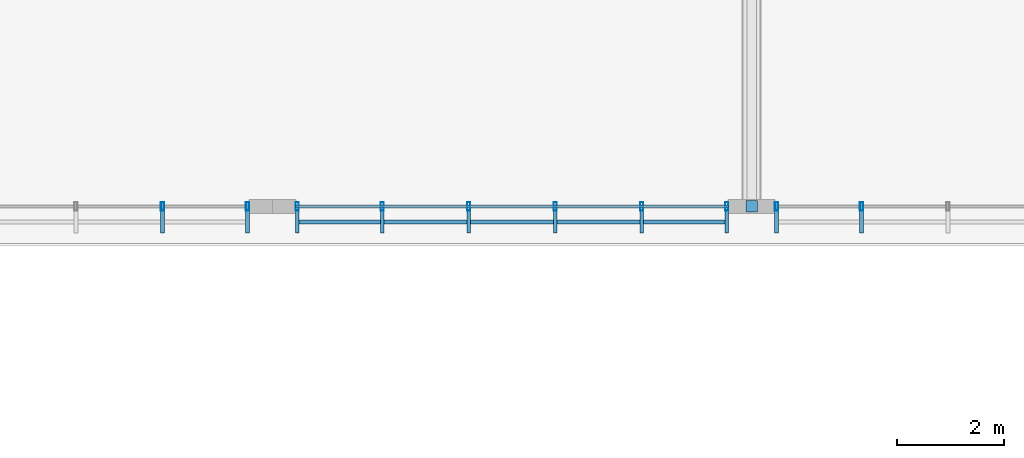
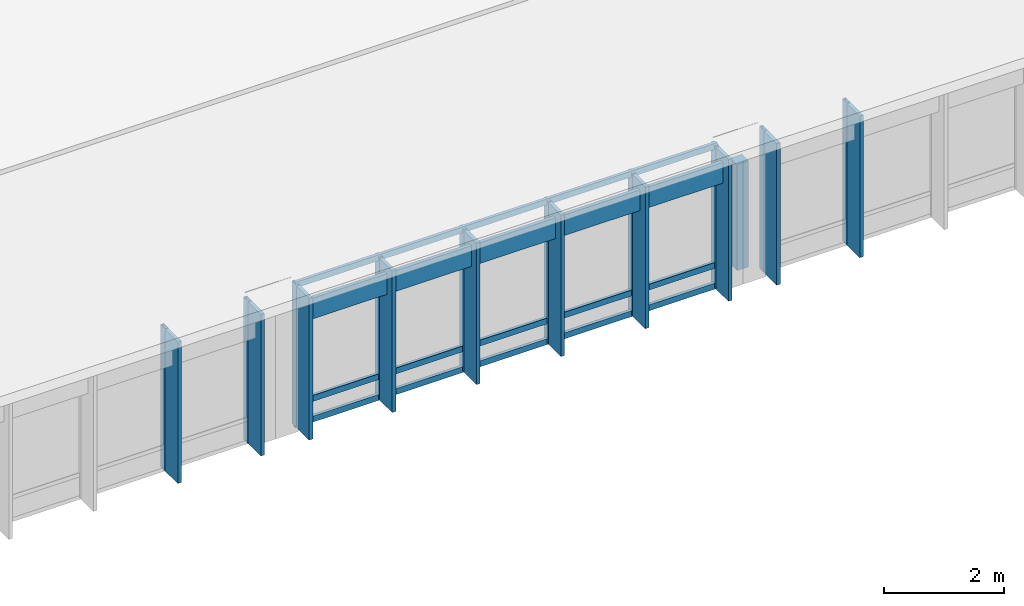
# One storey, part 47 of 182: 25 members, 3 elements without a shape of their own.
"""IFC4 building model written with IfcOpenShell, lengths in metres."""

import ifcopenshell
import ifcopenshell.guid

model = None  # the IFC model being written
_history = None  # IfcOwnerHistory: only IFC2X3 demands one
_inside = {}  # id of a spatial element -> (the spatial element, [elements in it])
_under = {}  # id of a project, library or spatial element -> (it, [spatial elements below it])
_declared = {}  # id of a project -> (the project, [libraries it declares])
_typed = {}  # id of a type object -> (the type object, [elements of that type])
_made_of = {}  # id of a material, layer set ... -> (it, [elements and type objects made of it])


def new_model(schema):
    """Start an empty IFC model of exactly this schema.

    Asked for "IFC4X3", IfcOpenShell would pick the latest addendum, in which some entities
    have other attributes; the version numbers below select the first issue.
    IFC2X3 requires an IfcOwnerHistory on every rooted entity: one is made here for all.
    """
    global model, _history
    if schema == "IFC4X3":
        model = ifcopenshell.file(schema_version=(4, 3, 0, 0))
    else:
        model = ifcopenshell.file(schema=schema)
    _inside.clear()
    _under.clear()
    _declared.clear()
    _typed.clear()
    _made_of.clear()
    _history = None
    if model.schema == "IFC2X3":
        org = make("IfcOrganization", Name="unknown")
        user = make(
            "IfcPersonAndOrganization",
            ThePerson=make("IfcPerson", FamilyName="unknown"),
            TheOrganization=org,
        )
        app = make(
            "IfcApplication",
            ApplicationDeveloper=org,
            Version="unknown",
            ApplicationFullName="unknown",
            ApplicationIdentifier="unknown",
        )
        _history = make(
            "IfcOwnerHistory",
            OwningUser=user,
            OwningApplication=app,
            ChangeAction="ADDED",
            CreationDate=0,
        )
    return model


def make(cls, **values):
    """One entity of the class cls with the attributes given. An attribute that is None is left unset."""
    return model.create_entity(
        cls, **{name: value for name, value in values.items() if value is not None}
    )


def rooted(cls, **values):
    """An entity with a GlobalId (a new one), such as an element, a storey or a relation."""
    return make(cls, GlobalId=ifcopenshell.guid.new(), OwnerHistory=_history, **values)


def si_unit(unit_type, name, prefix=None):
    """IfcSIUnit, for example si_unit("LENGTHUNIT", "METRE", prefix="MILLI")."""
    return make("IfcSIUnit", UnitType=unit_type, Prefix=prefix, Name=name)


def assignment(units):
    """IfcUnitAssignment: the units of a project."""
    return None if units is None else make("IfcUnitAssignment", Units=units)


def point(xyz):
    """IfcCartesianPoint."""
    return None if xyz is None else make("IfcCartesianPoint", Coordinates=xyz)


def direction(xyz):
    """IfcDirection."""
    return None if xyz is None else make("IfcDirection", DirectionRatios=xyz)


def frame(location, z_axis=None, x_axis=None):
    """IfcAxis2Placement3D, a coordinate frame: its origin and axes. An axis left out is left unset."""
    return make(
        "IfcAxis2Placement3D",
        Location=point(location),
        Axis=direction(z_axis),
        RefDirection=direction(x_axis),
    )


def frame_2d(location, x_axis=None):
    """IfcAxis2Placement2D, a coordinate frame in the plane: its origin and x axis."""
    return make(
        "IfcAxis2Placement2D", Location=point(location), RefDirection=direction(x_axis)
    )


def origin():
    """The frame at (0, 0, 0) with its axes left unset."""
    return frame((0.0, 0.0, 0.0))


def origin_2d():
    """The frame at (0, 0) in the plane with its x axis left unset."""
    return frame_2d((0.0, 0.0))


def place(relative_to, where):
    """IfcLocalPlacement: puts the frame where relative to a parent placement (None: the world)."""
    return make(
        "IfcLocalPlacement", PlacementRelTo=relative_to, RelativePlacement=where
    )


def context(
    kind, dimensions, precision=None, world=None, true_north=None, identifier=None
):
    """IfcGeometricRepresentationContext, for example the 3D "Model" context."""
    return make(
        "IfcGeometricRepresentationContext",
        ContextIdentifier=identifier,
        ContextType=kind,
        CoordinateSpaceDimension=dimensions,
        Precision=precision,
        WorldCoordinateSystem=world,
        TrueNorth=true_north,
    )


def subcontext(parent, identifier, kind, view, scale=None):
    """IfcGeometricRepresentationSubContext, for example "Body" below "Model"."""
    return make(
        "IfcGeometricRepresentationSubContext",
        ContextIdentifier=identifier,
        ContextType=kind,
        ParentContext=parent,
        TargetScale=scale,
        TargetView=view,
    )


def project(units=None, contexts=None):
    """IfcProject with its units and contexts."""
    return rooted(
        "IfcProject",
        Name="project",
        RepresentationContexts=contexts,
        UnitsInContext=assignment(units),
    )


def spatial(cls, under=None, at=None, **own):
    """A site, building, storey or space (cls), placed at a placement, below another one or the project."""
    s = rooted(cls, ObjectPlacement=at, **own)
    if under is not None:
        _under.setdefault(under.id(), (under, []))[1].append(s)
    return s


def profile(cls, at=None, kind="AREA", **sizes):
    """A parametric profile (cls). Its sizes go by their IFC names, for example OverallWidth=200.0."""
    return make(cls, ProfileType=kind, Position=at, **sizes)


def rectangle(**sizes):
    """IfcRectangleProfileDef."""
    return profile("IfcRectangleProfileDef", **sizes)


def hollow_rectangle(**sizes):
    """IfcRectangleHollowProfileDef."""
    return profile("IfcRectangleHollowProfileDef", **sizes)


def extrude(swept, where, along, depth):
    """IfcExtrudedAreaSolid: the profile swept, set in the frame where, extruded along a direction by depth."""
    return make(
        "IfcExtrudedAreaSolid",
        SweptArea=swept,
        Position=where,
        ExtrudedDirection=direction(along),
        Depth=depth,
    )


def shape(context_of_items, identifier, shape_type, items):
    """IfcShapeRepresentation: the items that make up one representation, for example the "Body"."""
    return make(
        "IfcShapeRepresentation",
        ContextOfItems=context_of_items,
        RepresentationIdentifier=identifier,
        RepresentationType=shape_type,
        Items=items,
    )


def material(Name=None, Category=None):
    """IfcMaterial."""
    return make("IfcMaterial", Name=Name, Category=Category)


def material_profile(
    of_material, cross_section, Name=None, Category=None, Priority=None
):
    """IfcMaterialProfile: a cross section and its material."""
    return make(
        "IfcMaterialProfile",
        Name=Name,
        Material=of_material,
        Profile=cross_section,
        Priority=Priority,
        Category=Category,
    )


def profile_set(profiles, Name=None, composite=None):
    """IfcMaterialProfileSet."""
    return make(
        "IfcMaterialProfileSet",
        Name=Name,
        MaterialProfiles=profiles,
        CompositeProfile=composite,
    )


def made_of(thing, what):
    """Note that an element or type object is made of a material, layer set ...; save() writes the relation."""
    if what is not None:
        _made_of.setdefault(what.id(), (what, []))[1].append(thing)
    return thing


def type_object(cls, material=None, **own):
    """A type object (cls), such as IfcWallType, which elements share."""
    return made_of(rooted(cls, **own), material)


def element(
    cls,
    number,
    at=None,
    inside=None,
    cuts=None,
    type_object=None,
    material=None,
    context=None,
    identifier="Body",
    shape_type=None,
    held_by="IfcProductDefinitionShape",
    body=None,
    shapes=None,
    **own,
):
    """One element of the class cls, such as IfcWall. Its Tag is "e" and its number.

    at: its placement. inside: the storey or other place that contains it. cuts: it is an
    opening in that element (IfcRelVoidsElement). A single representation is given by context,
    identifier, shape_type and body (its items); several are given by shapes. held_by: the class
    of the entity that holds the representations. save() writes the other relations.
    """
    e = rooted(cls, Tag="e%d" % number, ObjectPlacement=at, **own)
    if body is not None:
        shapes = [shape(context, identifier, shape_type, body)]
    if shapes is not None:
        e.Representation = make(held_by, Representations=shapes)
    if inside is not None:
        _inside.setdefault(inside.id(), (inside, []))[1].append(e)
    if cuts is not None:
        rooted(
            "IfcRelVoidsElement", RelatingBuildingElement=cuts, RelatedOpeningElement=e
        )
    if type_object is not None:
        _typed.setdefault(type_object.id(), (type_object, []))[1].append(e)
    return made_of(e, material)


def aggregate(whole, parts):
    """IfcRelAggregates: a whole, such as a stair, and the parts it consists of."""
    return rooted("IfcRelAggregates", RelatingObject=whole, RelatedObjects=parts)


def save(model, path):
    """Write the relations noted so far, then the file.

    IfcRelAggregates (storeys below a building ...), IfcRelContainedInSpatialStructure (elements
    in a storey), IfcRelDefinesByType, IfcRelAssociatesMaterial and IfcRelDeclares: one each for
    every whole, place, type object, material and project.
    """
    for whole, parts in _under.values():
        aggregate(whole, parts)
    for where, things in _inside.values():
        rooted(
            "IfcRelContainedInSpatialStructure",
            RelatedElements=things,
            RelatingStructure=where,
        )
    for kind, things in _typed.values():
        rooted("IfcRelDefinesByType", RelatedObjects=things, RelatingType=kind)
    for what, things in _made_of.values():
        rooted("IfcRelAssociatesMaterial", RelatedObjects=things, RelatingMaterial=what)
    for by, libraries in _declared.values():
        rooted("IfcRelDeclares", RelatingContext=by, RelatedDefinitions=libraries)
    model.write(path)


model = new_model("IFC4")

# Units and contexts
model_context = context("Model", 3, precision=1e-05, world=origin(), true_north=direction((0.0, 1.0)))
body_context = subcontext(model_context, "Body", "Model", "MODEL_VIEW")
ifc_project = project(units=[si_unit("LENGTHUNIT", "METRE"), si_unit("AREAUNIT", "SQUARE_METRE"), si_unit("VOLUMEUNIT", "CUBIC_METRE"), si_unit("PLANEANGLEUNIT", "RADIAN"), si_unit("MASSUNIT", "GRAM", prefix="KILO")], contexts=[model_context])

# Site, building, storey
site_placement = place(None, origin())
site = spatial("IfcSite", under=ifc_project, at=site_placement, CompositionType="ELEMENT")
building_placement = place(site_placement, origin())
building = spatial("IfcBuilding", under=site, at=building_placement, Name="Chiffa Square Polytechnic", CompositionType="ELEMENT")
storey_placement = place(building_placement, frame((0.0, 0.0, 9.60009765625)))
storey = spatial("IfcBuildingStorey", under=building, at=storey_placement, Name="L02", CompositionType="ELEMENT", Elevation=9.60009765625)

# Curtain wall, members
ifc_material_1 = material(Name="Aluminium EN AW-6060 T66 and glulam shading", Category="wood")
curtain_wall_type_1 = type_object("IfcCurtainWallType", Name="CW-VERT-450X380", PredefinedType="USERDEFINED", material=ifc_material_1)
curtain_wall_1_placement = place(storey_placement, origin())
curtain_wall_1 = element("IfcCurtainWall", 1, at=curtain_wall_1_placement, inside=storey, type_object=curtain_wall_type_1, Name="Curtain wall CW-V4-CLRS-02", ObjectType="CURTAIN WALL", PredefinedType="USERDEFINED")
ifc_material_2 = material(Name="Aluminium EN AW-6060 T66", Category="aluminium")
ifc_material_profile_1 = material_profile(ifc_material_2, hollow_rectangle(XDim=0.06005859375, YDim=0.159912109375, WallThickness=0.00390625, at=origin_2d()), Name="ALU 60x160x4")
ifc_profile_set_1 = profile_set([ifc_material_profile_1], Name="Aluminium EN AW-6060 T66")
member_type_1 = type_object("IfcMemberType", Name="CWM-ALU-65X150", PredefinedType="MULLION", material=ifc_profile_set_1)
member_1_placement = place(storey_placement, frame((64.535888671875, 21.60009765625, 0.039794921875), z_axis=(0.0, 0.0, 1.0), x_axis=(1.0, 0.0, 0.0)))
member_1 = element("IfcMember", 2, at=member_1_placement, type_object=member_type_1, Name="Curtain wall mullion CW-V4-CLRS-02-M04", PredefinedType="MULLION", context=body_context, shape_type="SweptSolid", body=[
    extrude(hollow_rectangle(XDim=0.06005859375, YDim=0.159912109375, WallThickness=0.00390625, at=origin_2d()), origin(), (0.0, 0.0, 1.0), 2.902099609375),
])
member_2_placement = place(storey_placement, frame((66.135009765625, 21.60009765625, 0.039794921875), z_axis=(0.0, 0.0, 1.0), x_axis=(1.0, 0.0, 0.0)))
member_2 = element("IfcMember", 3, at=member_2_placement, type_object=member_type_1, Name="Curtain wall mullion CW-V4-CLRS-02-M05", PredefinedType="MULLION", context=body_context, shape_type="SweptSolid", body=[
    extrude(hollow_rectangle(XDim=0.06005859375, YDim=0.159912109375, WallThickness=0.00390625, at=origin_2d()), origin(), (0.0, 0.0, 1.0), 2.902099609375),
])

curtain_wall_type_2 = type_object("IfcCurtainWallType", Name="CW-VERT-300X380", PredefinedType="USERDEFINED", material=ifc_material_1)
curtain_wall_2_placement = place(storey_placement, origin())
curtain_wall_2 = element("IfcCurtainWall", 4, at=curtain_wall_2_placement, inside=storey, type_object=curtain_wall_type_2, Name="Curtain wall CW-V4-CLRS-03", ObjectType="CURTAIN WALL", PredefinedType="USERDEFINED")
member_3_placement = place(storey_placement, frame((67.06494140625, 21.60009765625, 0.039794921875), z_axis=(0.0, 0.0, 1.0), x_axis=(1.0, 0.0, 0.0)))
member_3 = element("IfcMember", 5, at=member_3_placement, type_object=member_type_1, Name="Curtain wall mullion CW-V4-CLRS-03-M00", PredefinedType="MULLION", context=body_context, shape_type="SweptSolid", body=[
    extrude(hollow_rectangle(XDim=0.06005859375, YDim=0.159912109375, WallThickness=0.00390625, at=origin_2d()), origin(), (0.0, 0.0, 1.0), 2.902099609375),
])
member_4_placement = place(storey_placement, frame((68.6640625, 21.60009765625, 0.039794921875), z_axis=(0.0, 0.0, 1.0), x_axis=(1.0, 0.0, 0.0)))
member_4 = element("IfcMember", 6, at=member_4_placement, type_object=member_type_1, Name="Curtain wall mullion CW-V4-CLRS-03-M01", PredefinedType="MULLION", context=body_context, shape_type="SweptSolid", body=[
    extrude(hollow_rectangle(XDim=0.06005859375, YDim=0.159912109375, WallThickness=0.00390625, at=origin_2d()), origin(), (0.0, 0.0, 1.0), 2.902099609375),
])
member_5_placement = place(storey_placement, frame((70.2880859375, 21.60009765625, 0.039794921875), z_axis=(0.0, 0.0, 1.0), x_axis=(1.0, 0.0, 0.0)))
member_5 = element("IfcMember", 7, at=member_5_placement, type_object=member_type_1, Name="Curtain wall mullion CW-V4-CLRS-03-M02", PredefinedType="MULLION", context=body_context, shape_type="SweptSolid", body=[
    extrude(hollow_rectangle(XDim=0.06005859375, YDim=0.159912109375, WallThickness=0.00390625, at=origin_2d()), origin(), (0.0, 0.0, 1.0), 2.902099609375),
])
member_6_placement = place(storey_placement, frame((71.912109375, 21.60009765625, 0.039794921875), z_axis=(0.0, 0.0, 1.0), x_axis=(1.0, 0.0, 0.0)))
member_6 = element("IfcMember", 8, at=member_6_placement, type_object=member_type_1, Name="Curtain wall mullion CW-V4-CLRS-03-M03", PredefinedType="MULLION", context=body_context, shape_type="SweptSolid", body=[
    extrude(hollow_rectangle(XDim=0.06005859375, YDim=0.159912109375, WallThickness=0.00390625, at=origin_2d()), origin(), (0.0, 0.0, 1.0), 2.902099609375),
])
member_7_placement = place(storey_placement, frame((73.535888671875, 21.60009765625, 0.039794921875), z_axis=(0.0, 0.0, 1.0), x_axis=(1.0, 0.0, 0.0)))
member_7 = element("IfcMember", 9, at=member_7_placement, type_object=member_type_1, Name="Curtain wall mullion CW-V4-CLRS-03-M04", PredefinedType="MULLION", context=body_context, shape_type="SweptSolid", body=[
    extrude(hollow_rectangle(XDim=0.06005859375, YDim=0.159912109375, WallThickness=0.00390625, at=origin_2d()), origin(), (0.0, 0.0, 1.0), 2.902099609375),
])
member_8_placement = place(storey_placement, frame((75.135009765625, 21.60009765625, 0.039794921875), z_axis=(0.0, 0.0, 1.0), x_axis=(1.0, 0.0, 0.0)))
member_8 = element("IfcMember", 10, at=member_8_placement, type_object=member_type_1, Name="Curtain wall mullion CW-V4-CLRS-03-M05", PredefinedType="MULLION", context=body_context, shape_type="SweptSolid", body=[
    extrude(hollow_rectangle(XDim=0.06005859375, YDim=0.159912109375, WallThickness=0.00390625, at=origin_2d()), origin(), (0.0, 0.0, 1.0), 2.902099609375),
])

curtain_wall_type_3 = type_object("IfcCurtainWallType", Name="CW-VERT-600X380", PredefinedType="USERDEFINED", material=ifc_material_1)
curtain_wall_3_placement = place(storey_placement, origin())
curtain_wall_3 = element("IfcCurtainWall", 11, at=curtain_wall_3_placement, inside=storey, type_object=curtain_wall_type_3, Name="Curtain wall CW-V4-CLRS-04", ObjectType="CURTAIN WALL", PredefinedType="USERDEFINED")
member_9_placement = place(storey_placement, frame((76.06494140625, 21.60009765625, 0.039794921875), z_axis=(0.0, 0.0, 1.0), x_axis=(1.0, 0.0, 0.0)))
member_9 = element("IfcMember", 12, at=member_9_placement, type_object=member_type_1, Name="Curtain wall mullion CW-V4-CLRS-04-M00", PredefinedType="MULLION", context=body_context, shape_type="SweptSolid", body=[
    extrude(hollow_rectangle(XDim=0.06005859375, YDim=0.159912109375, WallThickness=0.00390625, at=origin_2d()), origin(), (0.0, 0.0, 1.0), 2.902099609375),
])
member_10_placement = place(storey_placement, frame((77.6640625, 21.60009765625, 0.039794921875), z_axis=(0.0, 0.0, 1.0), x_axis=(1.0, 0.0, 0.0)))
member_10 = element("IfcMember", 13, at=member_10_placement, type_object=member_type_1, Name="Curtain wall mullion CW-V4-CLRS-04-M01", PredefinedType="MULLION", context=body_context, shape_type="SweptSolid", body=[
    extrude(hollow_rectangle(XDim=0.06005859375, YDim=0.159912109375, WallThickness=0.00390625, at=origin_2d()), origin(), (0.0, 0.0, 1.0), 2.902099609375),
])

# Member
ifc_material_3 = material(Name="Glulam GL28h", Category="wood")
ifc_material_profile_2 = material_profile(ifc_material_3, rectangle(XDim=0.070068359375, YDim=0.419921875, at=origin_2d()), Name="GL28h 70x420")
ifc_profile_set_2 = profile_set([ifc_material_profile_2], Name="Glulam GL28h")
member_type_2 = type_object("IfcMemberType", Name="CWM-GL-70X420", PredefinedType="MULLION", material=ifc_profile_set_2)
member_11_placement = place(storey_placement, frame((64.535888671875, 21.30810546875, 0.0498046875), z_axis=(0.0, 0.0, 1.0), x_axis=(1.0, 0.0, 0.0)))
member_11 = element("IfcMember", 14, at=member_11_placement, type_object=member_type_2, Name="Exterior glulam solar fin CW-V4-CLRS-02-FN04", PredefinedType="MULLION", context=body_context, shape_type="SweptSolid", body=[
    extrude(rectangle(XDim=0.070068359375, YDim=0.419921875, at=origin_2d()), origin(), (0.0, 0.0, 1.0), 2.882080078125),
])

member_12_placement = place(storey_placement, frame((66.135009765625, 21.30810546875, 0.0498046875), z_axis=(0.0, 0.0, 1.0), x_axis=(1.0, 0.0, 0.0)))
member_12 = element("IfcMember", 15, at=member_12_placement, type_object=member_type_2, Name="Exterior glulam solar fin CW-V4-CLRS-02-FN05", PredefinedType="MULLION", context=body_context, shape_type="SweptSolid", body=[
    extrude(rectangle(XDim=0.070068359375, YDim=0.419921875, at=origin_2d()), origin(), (0.0, 0.0, 1.0), 2.882080078125),
])

aggregate(curtain_wall_1, [member_1, member_11, member_2, member_12])

member_13_placement = place(storey_placement, frame((67.06494140625, 21.30810546875, 0.0498046875), z_axis=(0.0, 0.0, 1.0), x_axis=(1.0, 0.0, 0.0)))
member_13 = element("IfcMember", 16, at=member_13_placement, type_object=member_type_2, Name="Exterior glulam solar fin CW-V4-CLRS-03-FN00", PredefinedType="MULLION", context=body_context, shape_type="SweptSolid", body=[
    extrude(rectangle(XDim=0.070068359375, YDim=0.419921875, at=origin_2d()), origin(), (0.0, 0.0, 1.0), 2.882080078125),
])

member_14_placement = place(storey_placement, frame((68.6640625, 21.30810546875, 0.0498046875), z_axis=(0.0, 0.0, 1.0), x_axis=(1.0, 0.0, 0.0)))
member_14 = element("IfcMember", 17, at=member_14_placement, type_object=member_type_2, Name="Exterior glulam solar fin CW-V4-CLRS-03-FN01", PredefinedType="MULLION", context=body_context, shape_type="SweptSolid", body=[
    extrude(rectangle(XDim=0.070068359375, YDim=0.419921875, at=origin_2d()), origin(), (0.0, 0.0, 1.0), 2.882080078125),
])

member_15_placement = place(storey_placement, frame((70.2880859375, 21.30810546875, 0.0498046875), z_axis=(0.0, 0.0, 1.0), x_axis=(1.0, 0.0, 0.0)))
member_15 = element("IfcMember", 18, at=member_15_placement, type_object=member_type_2, Name="Exterior glulam solar fin CW-V4-CLRS-03-FN02", PredefinedType="MULLION", context=body_context, shape_type="SweptSolid", body=[
    extrude(rectangle(XDim=0.070068359375, YDim=0.419921875, at=origin_2d()), origin(), (0.0, 0.0, 1.0), 2.882080078125),
])

member_16_placement = place(storey_placement, frame((71.912109375, 21.30810546875, 0.0498046875), z_axis=(0.0, 0.0, 1.0), x_axis=(1.0, 0.0, 0.0)))
member_16 = element("IfcMember", 19, at=member_16_placement, type_object=member_type_2, Name="Exterior glulam solar fin CW-V4-CLRS-03-FN03", PredefinedType="MULLION", context=body_context, shape_type="SweptSolid", body=[
    extrude(rectangle(XDim=0.070068359375, YDim=0.419921875, at=origin_2d()), origin(), (0.0, 0.0, 1.0), 2.882080078125),
])

member_17_placement = place(storey_placement, frame((73.535888671875, 21.30810546875, 0.0498046875), z_axis=(0.0, 0.0, 1.0), x_axis=(1.0, 0.0, 0.0)))
member_17 = element("IfcMember", 20, at=member_17_placement, type_object=member_type_2, Name="Exterior glulam solar fin CW-V4-CLRS-03-FN04", PredefinedType="MULLION", context=body_context, shape_type="SweptSolid", body=[
    extrude(rectangle(XDim=0.070068359375, YDim=0.419921875, at=origin_2d()), origin(), (0.0, 0.0, 1.0), 2.882080078125),
])

member_18_placement = place(storey_placement, frame((75.135009765625, 21.30810546875, 0.0498046875), z_axis=(0.0, 0.0, 1.0), x_axis=(1.0, 0.0, 0.0)))
member_18 = element("IfcMember", 21, at=member_18_placement, type_object=member_type_2, Name="Exterior glulam solar fin CW-V4-CLRS-03-FN05", PredefinedType="MULLION", context=body_context, shape_type="SweptSolid", body=[
    extrude(rectangle(XDim=0.070068359375, YDim=0.419921875, at=origin_2d()), origin(), (0.0, 0.0, 1.0), 2.882080078125),
])

member_19_placement = place(storey_placement, frame((76.06494140625, 21.30810546875, 0.0498046875), z_axis=(0.0, 0.0, 1.0), x_axis=(1.0, 0.0, 0.0)))
member_19 = element("IfcMember", 22, at=member_19_placement, type_object=member_type_2, Name="Exterior glulam solar fin CW-V4-CLRS-04-FN00", PredefinedType="MULLION", context=body_context, shape_type="SweptSolid", body=[
    extrude(rectangle(XDim=0.070068359375, YDim=0.419921875, at=origin_2d()), origin(), (0.0, 0.0, 1.0), 2.882080078125),
])

member_20_placement = place(storey_placement, frame((77.6640625, 21.30810546875, 0.0498046875), z_axis=(0.0, 0.0, 1.0), x_axis=(1.0, 0.0, 0.0)))
member_20 = element("IfcMember", 23, at=member_20_placement, type_object=member_type_2, Name="Exterior glulam solar fin CW-V4-CLRS-04-FN01", PredefinedType="MULLION", context=body_context, shape_type="SweptSolid", body=[
    extrude(rectangle(XDim=0.070068359375, YDim=0.419921875, at=origin_2d()), origin(), (0.0, 0.0, 1.0), 2.882080078125),
])

aggregate(curtain_wall_3, [member_9, member_19, member_10, member_20])

ifc_material_profile_3 = material_profile(ifc_material_2, hollow_rectangle(XDim=0.06005859375, YDim=0.1201171875, WallThickness=0.00390625, at=origin_2d()), Name="ALU 60x120x4")
ifc_profile_set_3 = profile_set([ifc_material_profile_3], Name="Aluminium EN AW-6060 T66")
member_type_3 = type_object("IfcMemberType", Name="CWT-ALU-65X120", PredefinedType="USERDEFINED", material=ifc_profile_set_3)
member_21_placement = place(storey_placement, frame((67.0380859375, 21.60009765625, 0.06982421875), z_axis=(1.0, 0.0, 0.0), x_axis=(0.0, 1.0, 0.0)))
member_21 = element("IfcMember", 24, at=member_21_placement, type_object=member_type_3, Name="Curtain wall transom CW-V4-CLRS-03-T01", ObjectType="TRANSOM", PredefinedType="USERDEFINED", context=body_context, shape_type="SweptSolid", body=[
    extrude(hollow_rectangle(XDim=0.06005859375, YDim=0.1201171875, WallThickness=0.00390625, at=origin_2d()), origin(), (0.0, 0.0, 1.0), 8.1240234375),
])

member_22_placement = place(storey_placement, frame((67.0380859375, 21.60009765625, 0.489990234375), z_axis=(1.0, 0.0, 0.0), x_axis=(0.0, 1.0, 0.0)))
member_22 = element("IfcMember", 25, at=member_22_placement, type_object=member_type_3, Name="Curtain wall transom CW-V4-CLRS-03-T02", ObjectType="TRANSOM", PredefinedType="USERDEFINED", context=body_context, shape_type="SweptSolid", body=[
    extrude(hollow_rectangle(XDim=0.06005859375, YDim=0.1201171875, WallThickness=0.00390625, at=origin_2d()), origin(), (0.0, 0.0, 1.0), 8.1240234375),
])

member_23_placement = place(storey_placement, frame((67.0380859375, 21.60009765625, 2.911865234375), z_axis=(1.0, 0.0, 0.0), x_axis=(0.0, 1.0, 0.0)))
member_23 = element("IfcMember", 26, at=member_23_placement, type_object=member_type_3, Name="Curtain wall transom CW-V4-CLRS-03-T03", ObjectType="TRANSOM", PredefinedType="USERDEFINED", context=body_context, shape_type="SweptSolid", body=[
    extrude(hollow_rectangle(XDim=0.06005859375, YDim=0.1201171875, WallThickness=0.00390625, at=origin_2d()), origin(), (0.0, 0.0, 1.0), 8.1240234375),
])

ifc_material_profile_4 = material_profile(ifc_material_3, rectangle(XDim=0.070068359375, YDim=0.419921875, at=origin_2d()), Name="GL28h 70x420")
ifc_profile_set_4 = profile_set([ifc_material_profile_4], Name="Glulam GL28h")
member_type_4 = type_object("IfcMemberType", Name="CWT-GL-70X420", PredefinedType="USERDEFINED", material=ifc_profile_set_4)
member_24_placement = place(storey_placement, frame((67.06494140625, 21.30810546875, 2.56201171875), z_axis=(1.0, 0.0, 0.0), x_axis=(0.0, 1.0, 0.0)))
member_24 = element("IfcMember", 27, at=member_24_placement, type_object=member_type_4, Name="Exterior glulam brise-soleil CW-V4-CLRS-03-BS01", ObjectType="TRANSOM", PredefinedType="USERDEFINED", context=body_context, shape_type="SweptSolid", body=[
    extrude(rectangle(XDim=0.070068359375, YDim=0.419921875, at=origin_2d()), origin(), (0.0, 0.0, 1.0), 8.070068359375),
])

aggregate(curtain_wall_2, [member_3, member_13, member_4, member_14, member_5, member_15, member_6, member_16, member_7, member_17, member_8, member_18, member_21, member_22, member_23, member_24])

ifc_material_profile_5 = material_profile(ifc_material_3, rectangle(XDim=0.219970703125, YDim=0.219970703125, at=origin_2d()), Name="GL28h 220x220")
ifc_profile_set_5 = profile_set([ifc_material_profile_5], Name="Glulam GL28h")
member_type_5 = type_object("IfcMemberType", Name="MEM-WEB-GL220", PredefinedType="MEMBER", material=ifc_profile_set_5)
member_25_placement = place(storey_placement, frame((75.60009765625, 21.60009765625, 0.2998046875), z_axis=(0.0, 0.0, 1.0), x_axis=(1.0, 0.0, 0.0)))
element("IfcMember", 28, at=member_25_placement, inside=storey, type_object=member_type_5, Name="Refectory butterfly vertical TWV-V4-S04-1", PredefinedType="MEMBER", context=body_context, shape_type="SweptSolid", body=[
    extrude(rectangle(XDim=0.219970703125, YDim=0.219970703125, at=origin_2d()), origin(), (0.0, 0.0, 1.0), 2.162109375),
])

save(model, "model.ifc")
